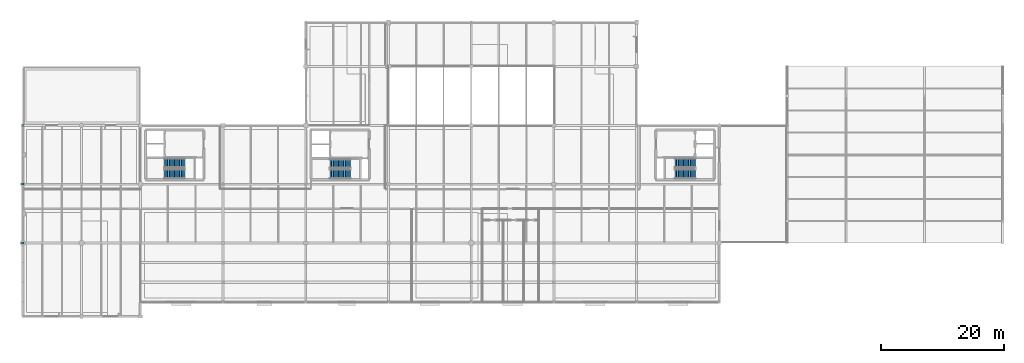
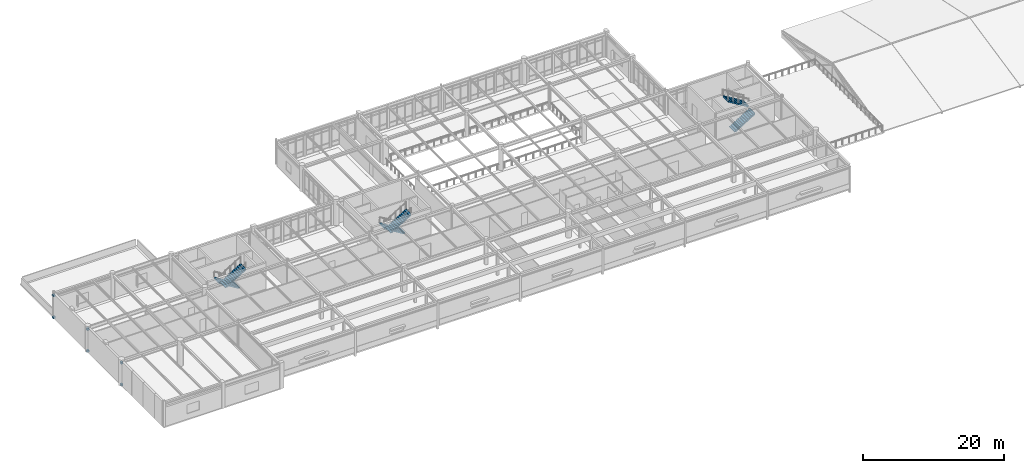
# One storey, part 51 of 61: 6 discrete accessories, 6 stair flights, 3 elements without a shape of their own.
"""IFC4 building model written with IfcOpenShell, lengths in metres."""

from ifc_helpers import new_model, si_unit, direction, frame, origin, origin_2d, place, context, subcontext, project, spatial, polyline, rectangle, outline, extrude, material, type_object, element, aggregate, save


model = new_model("IFC4")

# Units and contexts
model_context = context("Model", 3, precision=1e-05, world=origin(), true_north=direction((0.0, 1.0)))
body_context = subcontext(model_context, "Body", "Model", "MODEL_VIEW")
ifc_project = project(units=[si_unit("LENGTHUNIT", "METRE"), si_unit("AREAUNIT", "SQUARE_METRE"), si_unit("VOLUMEUNIT", "CUBIC_METRE"), si_unit("PLANEANGLEUNIT", "RADIAN"), si_unit("MASSUNIT", "GRAM", prefix="KILO")], contexts=[model_context])

# Site, building, storey
site_placement = place(None, origin())
site = spatial("IfcSite", under=ifc_project, at=site_placement, CompositionType="ELEMENT")
building_placement = place(site_placement, origin())
building = spatial("IfcBuilding", under=site, at=building_placement, Name="Fikremerkos Civic Library", CompositionType="ELEMENT")
storey_placement = place(building_placement, frame((0.0, 0.0, 14.39990234375)))
storey = spatial("IfcBuildingStorey", under=building, at=storey_placement, Name="L03", CompositionType="ELEMENT", Elevation=14.39990234375)

# Stair, stair flights
ifc_material_1 = material(Name="Concrete C40/50", Category="concrete")
stair_type_1 = type_object("IfcStairType", Name="Half turn stair ST-HT-03 W1550 H4500", PredefinedType="HALF_TURN_STAIR", material=ifc_material_1)
stair_1_placement = place(storey_placement, origin())
stair_1 = element("IfcStair", 1, at=stair_1_placement, inside=storey, type_object=stair_type_1, Name="L03 ST-K1", PredefinedType="HALF_TURN_STAIR")
stair_flight_type_1 = type_object("IfcStairFlightType", Name="Straight stair flight SFL-03 W1550 H2250", PredefinedType="STRAIGHT", material=ifc_material_1)
stair_flight_1_placement = place(storey_placement, frame((26.449951171875, 25.02490234375, 0.0), z_axis=(0.0, 0.0, 1.0), x_axis=(-1.0, 0.0, 0.0)))
stair_flight_1 = element("IfcStairFlight", 2, at=stair_flight_1_placement, type_object=stair_flight_type_1, Name="ST-K1 flight 1", NumberOfRisers=13, NumberOfTreads=12, PredefinedType="STRAIGHT", RiserHeight=0.173076923, TreadLength=0.28, context=body_context, shape_type="SweptSolid", body=[
    extrude(outline(polyline([(-0.0048828125, 0.0), (-0.0048828125, 0.173095703125), (0.280029296875, 0.173095703125), (0.280029296875, 0.34619140625), (0.56005859375, 0.34619140625), (0.56005859375, 0.519287109375), (0.840087890625, 0.519287109375), (0.840087890625, 0.6923828125), (1.1201171875, 0.6923828125), (1.1201171875, 0.865478515625), (1.39990234375, 0.865478515625), (1.39990234375, 1.03857421875), (1.679931640625, 1.03857421875), (1.679931640625, 1.21142578125), (1.9599609375, 1.21142578125), (1.9599609375, 1.384521484375), (2.239990234375, 1.384521484375), (2.239990234375, 1.5576171875), (2.52001953125, 1.5576171875), (2.52001953125, 1.730712890625), (2.800048828125, 1.730712890625), (2.800048828125, 1.90380859375), (3.080078125, 1.90380859375), (3.080078125, 2.076904296875), (3.360107421875, 2.076904296875), (3.360107421875, 2.25), (3.364990234375, 2.25), (3.364990234375, 1.900634765625), (0.28515625, 0.0), (-0.0048828125, 0.0)])), frame((0.0, 0.77490234375, 0.0), z_axis=(0.0, -1.0, 0.0), x_axis=(1.0, 0.0, 0.0)), (0.0, 0.0, 1.0), 1.550048828125),
])
stair_flight_2_placement = place(storey_placement, frame((23.090087890625, 23.27490234375, 2.25), z_axis=(0.0, 0.0, 1.0), x_axis=(1.0, 0.0, 0.0)))
stair_flight_2 = element("IfcStairFlight", 3, at=stair_flight_2_placement, type_object=stair_flight_type_1, Name="ST-K1 flight 2", NumberOfRisers=13, NumberOfTreads=12, PredefinedType="STRAIGHT", RiserHeight=0.173076923, TreadLength=0.28, context=body_context, shape_type="SweptSolid", body=[
    extrude(outline(polyline([(-0.0048828125, 0.0), (-0.0048828125, 0.173095703125), (0.280029296875, 0.173095703125), (0.280029296875, 0.34619140625), (0.56005859375, 0.34619140625), (0.56005859375, 0.519287109375), (0.840087890625, 0.519287109375), (0.840087890625, 0.6923828125), (1.1201171875, 0.6923828125), (1.1201171875, 0.865478515625), (1.39990234375, 0.865478515625), (1.39990234375, 1.03857421875), (1.679931640625, 1.03857421875), (1.679931640625, 1.21142578125), (1.9599609375, 1.21142578125), (1.9599609375, 1.384521484375), (2.239990234375, 1.384521484375), (2.239990234375, 1.5576171875), (2.52001953125, 1.5576171875), (2.52001953125, 1.730712890625), (2.800048828125, 1.730712890625), (2.800048828125, 1.90380859375), (3.080078125, 1.90380859375), (3.080078125, 2.076904296875), (3.360107421875, 2.076904296875), (3.360107421875, 2.25), (3.364990234375, 2.25), (3.364990234375, 1.900634765625), (0.28515625, 0.0), (-0.0048828125, 0.0)])), frame((0.0, 0.77490234375, 0.0), z_axis=(0.0, -1.0, 0.0), x_axis=(1.0, 0.0, 0.0)), (0.0, 0.0, 1.0), 1.550048828125),
])
aggregate(stair_1, [stair_flight_1, stair_flight_2])

stair_2_placement = place(storey_placement, origin())
stair_2 = element("IfcStair", 4, at=stair_2_placement, inside=storey, type_object=stair_type_1, Name="L03 ST-K2", PredefinedType="HALF_TURN_STAIR")
stair_flight_3_placement = place(storey_placement, frame((106.449951171875, 23.27490234375, 0.0), z_axis=(0.0, 0.0, 1.0), x_axis=(1.0, 0.0, 0.0)))
stair_flight_3 = element("IfcStairFlight", 5, at=stair_flight_3_placement, type_object=stair_flight_type_1, Name="ST-K2 flight 1", NumberOfRisers=13, NumberOfTreads=12, PredefinedType="STRAIGHT", RiserHeight=0.173076923, TreadLength=0.28, context=body_context, shape_type="SweptSolid", body=[
    extrude(outline(polyline([(-0.0048828125, 0.0), (-0.0048828125, 0.173095703125), (0.280029296875, 0.173095703125), (0.280029296875, 0.34619140625), (0.56005859375, 0.34619140625), (0.56005859375, 0.519287109375), (0.840087890625, 0.519287109375), (0.840087890625, 0.6923828125), (1.1201171875, 0.6923828125), (1.1201171875, 0.865478515625), (1.39990234375, 0.865478515625), (1.39990234375, 1.03857421875), (1.679931640625, 1.03857421875), (1.679931640625, 1.21142578125), (1.9599609375, 1.21142578125), (1.9599609375, 1.384521484375), (2.239990234375, 1.384521484375), (2.239990234375, 1.5576171875), (2.52001953125, 1.5576171875), (2.52001953125, 1.730712890625), (2.800048828125, 1.730712890625), (2.800048828125, 1.90380859375), (3.080078125, 1.90380859375), (3.080078125, 2.076904296875), (3.360107421875, 2.076904296875), (3.360107421875, 2.25), (3.364990234375, 2.25), (3.364990234375, 1.900634765625), (0.28515625, 0.0), (-0.0048828125, 0.0)])), frame((0.0, 0.77490234375, 0.0), z_axis=(0.0, -1.0, 0.0), x_axis=(1.0, 0.0, 0.0)), (0.0, 0.0, 1.0), 1.550048828125),
])
stair_flight_4_placement = place(storey_placement, frame((109.81005859375, 25.02490234375, 2.25), z_axis=(0.0, 0.0, 1.0), x_axis=(-1.0, 0.0, 0.0)))
stair_flight_4 = element("IfcStairFlight", 6, at=stair_flight_4_placement, type_object=stair_flight_type_1, Name="ST-K2 flight 2", NumberOfRisers=13, NumberOfTreads=12, PredefinedType="STRAIGHT", RiserHeight=0.173076923, TreadLength=0.28, context=body_context, shape_type="SweptSolid", body=[
    extrude(outline(polyline([(-0.0048828125, 0.0), (-0.0048828125, 0.173095703125), (0.280029296875, 0.173095703125), (0.280029296875, 0.34619140625), (0.56005859375, 0.34619140625), (0.56005859375, 0.519287109375), (0.840087890625, 0.519287109375), (0.840087890625, 0.6923828125), (1.1201171875, 0.6923828125), (1.1201171875, 0.865478515625), (1.39990234375, 0.865478515625), (1.39990234375, 1.03857421875), (1.679931640625, 1.03857421875), (1.679931640625, 1.21142578125), (1.9599609375, 1.21142578125), (1.9599609375, 1.384521484375), (2.239990234375, 1.384521484375), (2.239990234375, 1.5576171875), (2.52001953125, 1.5576171875), (2.52001953125, 1.730712890625), (2.800048828125, 1.730712890625), (2.800048828125, 1.90380859375), (3.080078125, 1.90380859375), (3.080078125, 2.076904296875), (3.360107421875, 2.076904296875), (3.360107421875, 2.25), (3.364990234375, 2.25), (3.364990234375, 1.900634765625), (0.28515625, 0.0), (-0.0048828125, 0.0)])), frame((0.0, 0.77490234375, 0.0), z_axis=(0.0, -1.0, 0.0), x_axis=(1.0, 0.0, 0.0)), (0.0, 0.0, 1.0), 1.550048828125),
])
aggregate(stair_2, [stair_flight_3, stair_flight_4])

stair_type_2 = type_object("IfcStairType", Name="Half turn stair ST-HT-06 W1500 H4500", PredefinedType="HALF_TURN_STAIR", material=ifc_material_1)
stair_3_placement = place(storey_placement, origin())
stair_3 = element("IfcStair", 7, at=stair_3_placement, inside=storey, type_object=stair_type_2, Name="L03 ST-K3", PredefinedType="HALF_TURN_STAIR")
stair_flight_type_2 = type_object("IfcStairFlightType", Name="Straight stair flight SFL-06 W1500 H2250", PredefinedType="STRAIGHT", material=ifc_material_1)
stair_flight_5_placement = place(storey_placement, frame((53.5, 24.949951171875, 0.0), z_axis=(0.0, 0.0, 1.0), x_axis=(-1.0, 0.0, 0.0)))
stair_flight_5 = element("IfcStairFlight", 8, at=stair_flight_5_placement, type_object=stair_flight_type_2, Name="ST-K3 flight 1", NumberOfRisers=13, NumberOfTreads=12, PredefinedType="STRAIGHT", RiserHeight=0.173076923, TreadLength=0.28, context=body_context, shape_type="SweptSolid", body=[
    extrude(outline(polyline([(-0.0048828125, 0.0), (-0.0048828125, 0.173095703125), (0.280029296875, 0.173095703125), (0.280029296875, 0.34619140625), (0.56005859375, 0.34619140625), (0.56005859375, 0.519287109375), (0.840087890625, 0.519287109375), (0.840087890625, 0.6923828125), (1.1201171875, 0.6923828125), (1.1201171875, 0.865478515625), (1.39990234375, 0.865478515625), (1.39990234375, 1.03857421875), (1.679931640625, 1.03857421875), (1.679931640625, 1.21142578125), (1.9599609375, 1.21142578125), (1.9599609375, 1.384521484375), (2.239990234375, 1.384521484375), (2.239990234375, 1.5576171875), (2.52001953125, 1.5576171875), (2.52001953125, 1.730712890625), (2.800048828125, 1.730712890625), (2.800048828125, 1.90380859375), (3.080078125, 1.90380859375), (3.080078125, 2.076904296875), (3.360107421875, 2.076904296875), (3.360107421875, 2.25), (3.364990234375, 2.25), (3.364990234375, 1.900634765625), (0.28515625, 0.0), (-0.0048828125, 0.0)])), frame((0.0, 0.75, 0.0), z_axis=(0.0, -1.0, 0.0), x_axis=(1.0, 0.0, 0.0)), (0.0, 0.0, 1.0), 1.5),
])
stair_flight_6_placement = place(storey_placement, frame((50.139892578125, 23.25, 2.25), z_axis=(0.0, 0.0, 1.0), x_axis=(1.0, 0.0, 0.0)))
stair_flight_6 = element("IfcStairFlight", 9, at=stair_flight_6_placement, type_object=stair_flight_type_2, Name="ST-K3 flight 2", NumberOfRisers=13, NumberOfTreads=12, PredefinedType="STRAIGHT", RiserHeight=0.173076923, TreadLength=0.28, context=body_context, shape_type="SweptSolid", body=[
    extrude(outline(polyline([(-0.0048828125, 0.0), (-0.0048828125, 0.173095703125), (0.280029296875, 0.173095703125), (0.280029296875, 0.34619140625), (0.56005859375, 0.34619140625), (0.56005859375, 0.519287109375), (0.840087890625, 0.519287109375), (0.840087890625, 0.6923828125), (1.1201171875, 0.6923828125), (1.1201171875, 0.865478515625), (1.39990234375, 0.865478515625), (1.39990234375, 1.03857421875), (1.679931640625, 1.03857421875), (1.679931640625, 1.21142578125), (1.9599609375, 1.21142578125), (1.9599609375, 1.384521484375), (2.239990234375, 1.384521484375), (2.239990234375, 1.5576171875), (2.52001953125, 1.5576171875), (2.52001953125, 1.730712890625), (2.800048828125, 1.730712890625), (2.800048828125, 1.90380859375), (3.080078125, 1.90380859375), (3.080078125, 2.076904296875), (3.360107421875, 2.076904296875), (3.360107421875, 2.25), (3.364990234375, 2.25), (3.364990234375, 1.900634765625), (0.28515625, 0.0), (-0.0048828125, 0.0)])), frame((0.0, 0.75, 0.0), z_axis=(0.0, -1.0, 0.0), x_axis=(1.0, 0.0, 0.0)), (0.0, 0.0, 1.0), 1.5),
])
aggregate(stair_3, [stair_flight_5, stair_flight_6])

# Discrete accessories
ifc_material_2 = material(Name="Steel S355", Category="steel")
discrete_accessory_type = type_object("IfcDiscreteAccessoryType", Name="Steel brace end connection bracket BRK-S1", PredefinedType="BRACKET", material=ifc_material_2)
for number, where, z_axis, x_axis, name in (
    (10, (0.0, 12.0, -0.169921875), (0.0, 0.0, 1.0), (1.0, 0.0, 0.0), "Steel S355 brace end connection bracket #47"),
    (11, (0.0, 21.60009765625, 3.6201171875), (0.0, 0.0, 1.0), (1.0, 0.0, 0.0), "Steel S355 brace end connection bracket #48"),
    (12, (0.0, 21.60009765625, -0.169921875), (0.0, 0.0, 1.0), (1.0, 0.0, 0.0), "Steel S355 brace end connection bracket #49"),
    (13, (0.0, 12.0, 3.6201171875), (0.0, 0.0, 1.0), (1.0, 0.0, 0.0), "Steel S355 brace end connection bracket #50"),
    (14, (0.0, 31.199951171875, 3.6201171875), (0.0, 0.0, 1.0), (1.0, 0.0, 0.0), "Steel S355 brace end connection bracket #51"),
    (15, (0.0, 31.199951171875, -0.169921875), (0.0, 0.0, 1.0), (1.0, 0.0, 0.0), "Steel S355 brace end connection bracket #52"),
):
    element("IfcDiscreteAccessory", number, at=place(storey_placement, frame(where, z_axis=z_axis, x_axis=x_axis)), inside=storey, type_object=discrete_accessory_type, Name=name, PredefinedType="BRACKET", context=body_context, shape_type="SweptSolid", body=[
        extrude(rectangle(XDim=0.340087890625, YDim=0.340087890625, at=origin_2d()), origin(), (0.0, 0.0, 1.0), 0.340087890625),
    ])

save(model, "model.ifc")
